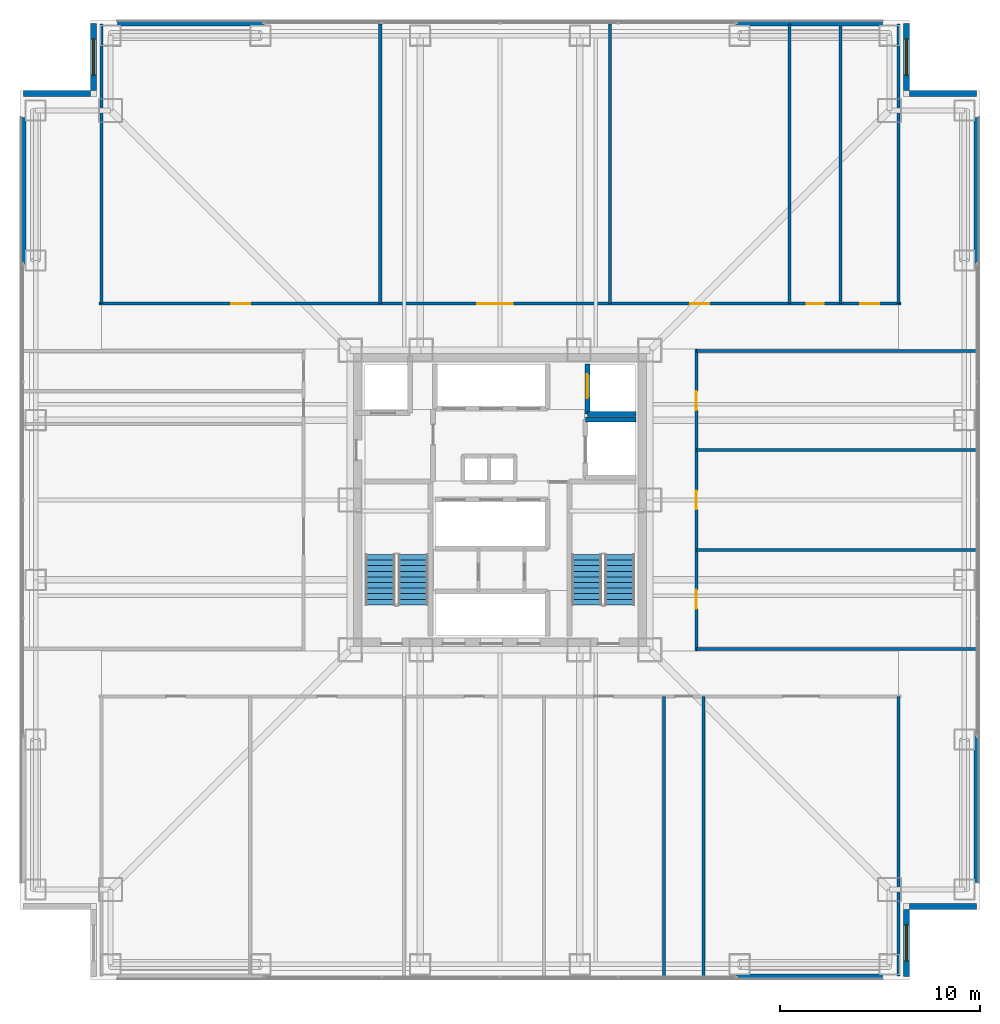
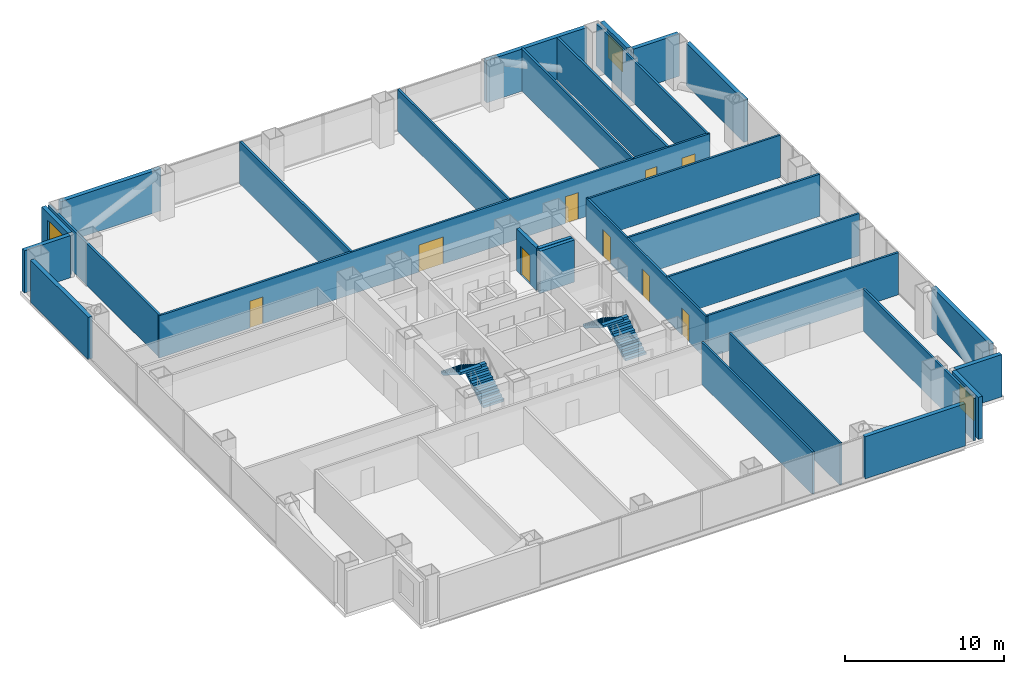
# One storey, part 12 of 15: 30 walls, 9 doors, 4 stair flights, 3 windows, 12 openings, 2 elements without a shape of their own.
"""IFC4 building model written with IfcOpenShell, lengths in metres."""

import ifcopenshell
import ifcopenshell.guid

model = None  # the IFC model being written
_history = None  # IfcOwnerHistory: only IFC2X3 demands one
_inside = {}  # id of a spatial element -> (the spatial element, [elements in it])
_under = {}  # id of a project, library or spatial element -> (it, [spatial elements below it])
_declared = {}  # id of a project -> (the project, [libraries it declares])
_typed = {}  # id of a type object -> (the type object, [elements of that type])
_made_of = {}  # id of a material, layer set ... -> (it, [elements and type objects made of it])


def new_model(schema):
    """Start an empty IFC model of exactly this schema.

    Asked for "IFC4X3", IfcOpenShell would pick the latest addendum, in which some entities
    have other attributes; the version numbers below select the first issue.
    IFC2X3 requires an IfcOwnerHistory on every rooted entity: one is made here for all.
    """
    global model, _history
    if schema == "IFC4X3":
        model = ifcopenshell.file(schema_version=(4, 3, 0, 0))
    else:
        model = ifcopenshell.file(schema=schema)
    _inside.clear()
    _under.clear()
    _declared.clear()
    _typed.clear()
    _made_of.clear()
    _history = None
    if model.schema == "IFC2X3":
        org = make("IfcOrganization", Name="unknown")
        user = make(
            "IfcPersonAndOrganization",
            ThePerson=make("IfcPerson", FamilyName="unknown"),
            TheOrganization=org,
        )
        app = make(
            "IfcApplication",
            ApplicationDeveloper=org,
            Version="unknown",
            ApplicationFullName="unknown",
            ApplicationIdentifier="unknown",
        )
        _history = make(
            "IfcOwnerHistory",
            OwningUser=user,
            OwningApplication=app,
            ChangeAction="ADDED",
            CreationDate=0,
        )
    return model


def make(cls, **values):
    """One entity of the class cls with the attributes given. An attribute that is None is left unset."""
    return model.create_entity(
        cls, **{name: value for name, value in values.items() if value is not None}
    )


def rooted(cls, **values):
    """An entity with a GlobalId (a new one), such as an element, a storey or a relation."""
    return make(cls, GlobalId=ifcopenshell.guid.new(), OwnerHistory=_history, **values)


def si_unit(unit_type, name, prefix=None):
    """IfcSIUnit, for example si_unit("LENGTHUNIT", "METRE", prefix="MILLI")."""
    return make("IfcSIUnit", UnitType=unit_type, Prefix=prefix, Name=name)


def assignment(units):
    """IfcUnitAssignment: the units of a project."""
    return None if units is None else make("IfcUnitAssignment", Units=units)


def point(xyz):
    """IfcCartesianPoint."""
    return None if xyz is None else make("IfcCartesianPoint", Coordinates=xyz)


def direction(xyz):
    """IfcDirection."""
    return None if xyz is None else make("IfcDirection", DirectionRatios=xyz)


def frame(location, z_axis=None, x_axis=None):
    """IfcAxis2Placement3D, a coordinate frame: its origin and axes. An axis left out is left unset."""
    return make(
        "IfcAxis2Placement3D",
        Location=point(location),
        Axis=direction(z_axis),
        RefDirection=direction(x_axis),
    )


def frame_2d(location, x_axis=None):
    """IfcAxis2Placement2D, a coordinate frame in the plane: its origin and x axis."""
    return make(
        "IfcAxis2Placement2D", Location=point(location), RefDirection=direction(x_axis)
    )


def origin():
    """The frame at (0, 0, 0) with its axes left unset."""
    return frame((0.0, 0.0, 0.0))


def place(relative_to, where):
    """IfcLocalPlacement: puts the frame where relative to a parent placement (None: the world)."""
    return make(
        "IfcLocalPlacement", PlacementRelTo=relative_to, RelativePlacement=where
    )


def context(
    kind, dimensions, precision=None, world=None, true_north=None, identifier=None
):
    """IfcGeometricRepresentationContext, for example the 3D "Model" context."""
    return make(
        "IfcGeometricRepresentationContext",
        ContextIdentifier=identifier,
        ContextType=kind,
        CoordinateSpaceDimension=dimensions,
        Precision=precision,
        WorldCoordinateSystem=world,
        TrueNorth=true_north,
    )


def subcontext(parent, identifier, kind, view, scale=None):
    """IfcGeometricRepresentationSubContext, for example "Body" below "Model"."""
    return make(
        "IfcGeometricRepresentationSubContext",
        ContextIdentifier=identifier,
        ContextType=kind,
        ParentContext=parent,
        TargetScale=scale,
        TargetView=view,
    )


def project(units=None, contexts=None):
    """IfcProject with its units and contexts."""
    return rooted(
        "IfcProject",
        Name="project",
        RepresentationContexts=contexts,
        UnitsInContext=assignment(units),
    )


def spatial(cls, under=None, at=None, **own):
    """A site, building, storey or space (cls), placed at a placement, below another one or the project."""
    s = rooted(cls, ObjectPlacement=at, **own)
    if under is not None:
        _under.setdefault(under.id(), (under, []))[1].append(s)
    return s


def polyline(points):
    """IfcPolyline through the points."""
    return make("IfcPolyline", Points=[point(p) for p in points])


def profile(cls, at=None, kind="AREA", **sizes):
    """A parametric profile (cls). Its sizes go by their IFC names, for example OverallWidth=200.0."""
    return make(cls, ProfileType=kind, Position=at, **sizes)


def rectangle(**sizes):
    """IfcRectangleProfileDef."""
    return profile("IfcRectangleProfileDef", **sizes)


def outline(outer, holes=None, kind="AREA"):
    """IfcArbitraryClosedProfileDef: a profile drawn as a closed curve; with holes, ...WithVoids."""
    if holes is None:
        return make("IfcArbitraryClosedProfileDef", ProfileType=kind, OuterCurve=outer)
    return make(
        "IfcArbitraryProfileDefWithVoids",
        ProfileType=kind,
        OuterCurve=outer,
        InnerCurves=holes,
    )


def extrude(swept, where, along, depth):
    """IfcExtrudedAreaSolid: the profile swept, set in the frame where, extruded along a direction by depth."""
    return make(
        "IfcExtrudedAreaSolid",
        SweptArea=swept,
        Position=where,
        ExtrudedDirection=direction(along),
        Depth=depth,
    )


def shape(context_of_items, identifier, shape_type, items):
    """IfcShapeRepresentation: the items that make up one representation, for example the "Body"."""
    return make(
        "IfcShapeRepresentation",
        ContextOfItems=context_of_items,
        RepresentationIdentifier=identifier,
        RepresentationType=shape_type,
        Items=items,
    )


def material(Name=None, Category=None):
    """IfcMaterial."""
    return make("IfcMaterial", Name=Name, Category=Category)


def layer(
    of_material, thickness, ventilated=None, Name=None, Category=None, Priority=None
):
    """IfcMaterialLayer: one layer of a wall or slab, of a material (None: an air gap)."""
    return make(
        "IfcMaterialLayer",
        Material=of_material,
        LayerThickness=thickness,
        IsVentilated=ventilated,
        Name=Name,
        Category=Category,
        Priority=Priority,
    )


def layer_set(layers, Name=None):
    """IfcMaterialLayerSet."""
    return make("IfcMaterialLayerSet", MaterialLayers=layers, LayerSetName=Name)


def made_of(thing, what):
    """Note that an element or type object is made of a material, layer set ...; save() writes the relation."""
    if what is not None:
        _made_of.setdefault(what.id(), (what, []))[1].append(thing)
    return thing


def type_object(cls, material=None, **own):
    """A type object (cls), such as IfcWallType, which elements share."""
    return made_of(rooted(cls, **own), material)


def element(
    cls,
    number,
    at=None,
    inside=None,
    cuts=None,
    type_object=None,
    material=None,
    context=None,
    identifier="Body",
    shape_type=None,
    held_by="IfcProductDefinitionShape",
    body=None,
    shapes=None,
    **own,
):
    """One element of the class cls, such as IfcWall. Its Tag is "e" and its number.

    at: its placement. inside: the storey or other place that contains it. cuts: it is an
    opening in that element (IfcRelVoidsElement). A single representation is given by context,
    identifier, shape_type and body (its items); several are given by shapes. held_by: the class
    of the entity that holds the representations. save() writes the other relations.
    """
    e = rooted(cls, Tag="e%d" % number, ObjectPlacement=at, **own)
    if body is not None:
        shapes = [shape(context, identifier, shape_type, body)]
    if shapes is not None:
        e.Representation = make(held_by, Representations=shapes)
    if inside is not None:
        _inside.setdefault(inside.id(), (inside, []))[1].append(e)
    if cuts is not None:
        rooted(
            "IfcRelVoidsElement", RelatingBuildingElement=cuts, RelatedOpeningElement=e
        )
    if type_object is not None:
        _typed.setdefault(type_object.id(), (type_object, []))[1].append(e)
    return made_of(e, material)


def fill(opening, filler):
    """IfcRelFillsElement: the door or window that sits in an opening."""
    return rooted(
        "IfcRelFillsElement",
        RelatingOpeningElement=opening,
        RelatedBuildingElement=filler,
    )


def aggregate(whole, parts):
    """IfcRelAggregates: a whole, such as a stair, and the parts it consists of."""
    return rooted("IfcRelAggregates", RelatingObject=whole, RelatedObjects=parts)


def save(model, path):
    """Write the relations noted so far, then the file.

    IfcRelAggregates (storeys below a building ...), IfcRelContainedInSpatialStructure (elements
    in a storey), IfcRelDefinesByType, IfcRelAssociatesMaterial and IfcRelDeclares: one each for
    every whole, place, type object, material and project.
    """
    for whole, parts in _under.values():
        aggregate(whole, parts)
    for where, things in _inside.values():
        rooted(
            "IfcRelContainedInSpatialStructure",
            RelatedElements=things,
            RelatingStructure=where,
        )
    for kind, things in _typed.values():
        rooted("IfcRelDefinesByType", RelatedObjects=things, RelatingType=kind)
    for what, things in _made_of.values():
        rooted("IfcRelAssociatesMaterial", RelatedObjects=things, RelatingMaterial=what)
    for by, libraries in _declared.values():
        rooted("IfcRelDeclares", RelatingContext=by, RelatedDefinitions=libraries)
    model.write(path)


model = new_model("IFC4")

# Units and contexts
model_context = context("Model", 3, precision=1e-05, world=origin(), true_north=direction((0.0, 1.0)))
body_context = subcontext(model_context, "Body", "Model", "MODEL_VIEW")
ifc_project = project(units=[si_unit("LENGTHUNIT", "METRE"), si_unit("AREAUNIT", "SQUARE_METRE"), si_unit("VOLUMEUNIT", "CUBIC_METRE"), si_unit("PLANEANGLEUNIT", "RADIAN"), si_unit("MASSUNIT", "GRAM", prefix="KILO")], contexts=[model_context])

# Site, building, storey
site_placement = place(None, origin())
site = spatial("IfcSite", under=ifc_project, at=site_placement, CompositionType="ELEMENT")
building_placement = place(site_placement, origin())
building = spatial("IfcBuilding", under=site, at=building_placement, Name="Trevonay Congress Spire", CompositionType="ELEMENT")
storey_placement = place(building_placement, frame((0.0, 0.0, 44.5)))
storey = spatial("IfcBuildingStorey", under=building, at=storey_placement, Name="L10", CompositionType="ELEMENT", Elevation=44.5)

# Wall, openings, doors
ifc_material_1 = material(Name="Concrete C40/50", Category="concrete")
ifc_layer_1 = layer(ifc_material_1, 0.14990234375, Name="Concrete C40/50")
ifc_layer_set_1 = layer_set([ifc_layer_1], Name="Concrete C40/50")
wall_type_1 = type_object("IfcWallType", Name="WAL-CORR-150", PredefinedType="PARTITIONING", material=ifc_layer_set_1)
wall_1_placement = place(storey_placement, frame((-20.070068359375, 9.830078125, 0.0), z_axis=(0.0, 0.0, 1.0), x_axis=(1.0, 0.0, 0.0)))
wall_1 = element("IfcWall", 1, at=wall_1_placement, inside=storey, type_object=wall_type_1, Name="L10 interior wall WP-L10N-COR", PredefinedType="PARTITIONING", context=body_context, shape_type="SweptSolid", body=[
    extrude(rectangle(XDim=40.14013671875, YDim=0.14990234375, at=frame_2d((20.070068359375, 0.0))), origin(), (0.0, 0.0, 1.0), 3.25),
])
opening_1_placement = place(wall_1_placement, frame((6.6201171875, 0.0, 0.0)))
opening_1 = element("IfcOpeningElement", 2, at=opening_1_placement, cuts=wall_1, Name="Opening D07", PredefinedType="OPENING", context=body_context, shape_type="SweptSolid", body=[
    extrude(rectangle(XDim=0.949951171875, YDim=2.06005859375, at=frame_2d((0.47509765625, 1.030029296875))), frame((0.0, 0.0849609375, 0.0), z_axis=(0.0, -1.0, 0.0), x_axis=(1.0, 0.0, 0.0)), (0.0, 0.0, 1.0), 0.169921875),
])
opening_2_placement = place(wall_1_placement, frame((18.919921875, 0.0, 0.0)))
opening_2 = element("IfcOpeningElement", 3, at=opening_2_placement, cuts=wall_1, Name="Opening D09", PredefinedType="OPENING", context=body_context, shape_type="SweptSolid", body=[
    extrude(rectangle(XDim=1.800048828125, YDim=2.080078125, at=frame_2d((0.89990234375, 1.0400390625))), frame((0.0, 0.0849609375, 0.0), z_axis=(0.0, -1.0, 0.0), x_axis=(1.0, 0.0, 0.0)), (0.0, 0.0, 1.0), 0.169921875),
])
opening_3_placement = place(wall_1_placement, frame((29.594970703125, 0.0, 0.0)))
opening_3 = element("IfcOpeningElement", 4, at=opening_3_placement, cuts=wall_1, Name="Opening D07", PredefinedType="OPENING", context=body_context, shape_type="SweptSolid", body=[
    extrude(rectangle(XDim=0.949951171875, YDim=2.06005859375, at=frame_2d((0.47509765625, 1.030029296875))), frame((0.0, 0.0849609375, 0.0), z_axis=(0.0, -1.0, 0.0), x_axis=(1.0, 0.0, 0.0)), (0.0, 0.0, 1.0), 0.169921875),
])
opening_4_placement = place(wall_1_placement, frame((35.419921875, 0.0, 0.0)))
opening_4 = element("IfcOpeningElement", 5, at=opening_4_placement, cuts=wall_1, Name="Opening D10", PredefinedType="OPENING", context=body_context, shape_type="SweptSolid", body=[
    extrude(rectangle(XDim=0.85009765625, YDim=2.050048828125, at=frame_2d((0.425048828125, 1.02490234375))), frame((0.0, 0.0849609375, 0.0), z_axis=(0.0, -1.0, 0.0), x_axis=(1.0, 0.0, 0.0)), (0.0, 0.0, 1.0), 0.169921875),
])
opening_5_placement = place(wall_1_placement, frame((38.094970703125, 0.0, 0.0)))
opening_5 = element("IfcOpeningElement", 6, at=opening_5_placement, cuts=wall_1, Name="Opening D07", PredefinedType="OPENING", context=body_context, shape_type="SweptSolid", body=[
    extrude(rectangle(XDim=0.949951171875, YDim=2.06005859375, at=frame_2d((0.47509765625, 1.030029296875))), frame((0.0, 0.0849609375, 0.0), z_axis=(0.0, -1.0, 0.0), x_axis=(1.0, 0.0, 0.0)), (0.0, 0.0, 1.0), 0.169921875),
])
ifc_material_2 = material(Name="Pale Anodised Aluminium EN AW-6063-T6", Category="aluminium")
door_type_1 = type_object("IfcDoorType", Name="DOR-CONF-DBL", OperationType="DOUBLE_DOOR_SINGLE_SWING", PredefinedType="DOOR", material=ifc_material_2)
door_1_placement = place(opening_2_placement, origin())
door_1 = element("IfcDoor", 7, at=door_1_placement, inside=storey, type_object=door_type_1, Name="L10 Rapporteur Drafting Salon Door", OperationType="DOUBLE_DOOR_SINGLE_SWING", OverallHeight=2.080078125, OverallWidth=1.800048828125, PredefinedType="DOOR", context=body_context, shape_type="SweptSolid", body=[
    extrude(rectangle(XDim=1.800048828125, YDim=2.080078125, at=frame_2d((0.89990234375, 1.0400390625))), frame((0.0, 0.02490234375, 0.0), z_axis=(0.0, -1.0, 0.0), x_axis=(1.0, 0.0, 0.0)), (0.0, 0.0, 1.0), 0.050048828125),
])
fill(opening_2, door_1)
door_type_2 = type_object("IfcDoorType", Name="DOR-OFFICE-95", OperationType="NOTDEFINED", PredefinedType="DOOR", material=ifc_material_2)
door_2_placement = place(opening_1_placement, origin())
door_2 = element("IfcDoor", 8, at=door_2_placement, inside=storey, type_object=door_type_2, Name="L10 Translation Secretariat Office West Door", OperationType="SINGLE_SWING_LEFT", OverallHeight=2.06005859375, OverallWidth=0.949951171875, PredefinedType="DOOR", context=body_context, shape_type="SweptSolid", body=[
    extrude(rectangle(XDim=0.949951171875, YDim=2.06005859375, at=frame_2d((0.47509765625, 1.030029296875))), frame((0.0, 0.02490234375, 0.0), z_axis=(0.0, -1.0, 0.0), x_axis=(1.0, 0.0, 0.0)), (0.0, 0.0, 1.0), 0.050048828125),
])
fill(opening_1, door_2)
door_3_placement = place(opening_3_placement, origin())
door_3 = element("IfcDoor", 9, at=door_3_placement, inside=storey, type_object=door_type_2, Name="L10 Congress Operations Office East Door", OperationType="SINGLE_SWING_RIGHT", OverallHeight=2.06005859375, OverallWidth=0.949951171875, PredefinedType="DOOR", context=body_context, shape_type="SweptSolid", body=[
    extrude(rectangle(XDim=0.949951171875, YDim=2.06005859375, at=frame_2d((0.47509765625, 1.030029296875))), frame((0.0, 0.02490234375, 0.0), z_axis=(0.0, -1.0, 0.0), x_axis=(1.0, 0.0, 0.0)), (0.0, 0.0, 1.0), 0.050048828125),
])
fill(opening_3, door_3)
door_4_placement = place(opening_5_placement, origin())
door_4 = element("IfcDoor", 10, at=door_4_placement, inside=storey, type_object=door_type_2, Name="L10 Floor Supplies and Copy Room Door", OperationType="SINGLE_SWING_RIGHT", OverallHeight=2.06005859375, OverallWidth=0.949951171875, PredefinedType="DOOR", context=body_context, shape_type="SweptSolid", body=[
    extrude(rectangle(XDim=0.949951171875, YDim=2.06005859375, at=frame_2d((0.47509765625, 1.030029296875))), frame((0.0, 0.02490234375, 0.0), z_axis=(0.0, -1.0, 0.0), x_axis=(1.0, 0.0, 0.0)), (0.0, 0.0, 1.0), 0.050048828125),
])
fill(opening_5, door_4)
door_type_3 = type_object("IfcDoorType", Name="DOR-WC-85", OperationType="NOTDEFINED", PredefinedType="DOOR", material=ifc_material_2)
door_5_placement = place(opening_4_placement, origin())
door_5 = element("IfcDoor", 11, at=door_5_placement, inside=storey, type_object=door_type_3, Name="L10 Female Restroom WC Door", OperationType="SINGLE_SWING_LEFT", OverallHeight=2.050048828125, OverallWidth=0.85009765625, PredefinedType="DOOR", context=body_context, shape_type="SweptSolid", body=[
    extrude(rectangle(XDim=0.85009765625, YDim=2.050048828125, at=frame_2d((0.425048828125, 1.02490234375))), frame((0.0, 0.02490234375, 0.0), z_axis=(0.0, -1.0, 0.0), x_axis=(1.0, 0.0, 0.0)), (0.0, 0.0, 1.0), 0.050048828125),
])
fill(opening_4, door_5)

wall_2_placement = place(storey_placement, frame((9.830078125, -7.570068359375, 0.0), z_axis=(0.0, 0.0, 1.0), x_axis=(0.0, 1.0, 0.0)))
wall_2 = element("IfcWall", 12, at=wall_2_placement, inside=storey, type_object=wall_type_1, Name="L10 interior wall WP-L10E-COR", PredefinedType="PARTITIONING", context=body_context, shape_type="SweptSolid", body=[
    extrude(rectangle(XDim=15.14013671875, YDim=0.14990234375, at=frame_2d((7.570068359375, 0.0))), origin(), (0.0, 0.0, 1.0), 3.25),
])
opening_6_placement = place(wall_2_placement, frame((2.1201171875, 0.0, 0.0)))
opening_6 = element("IfcOpeningElement", 13, at=opening_6_placement, cuts=wall_2, Name="Opening D07", PredefinedType="OPENING", context=body_context, shape_type="SweptSolid", body=[
    extrude(rectangle(XDim=0.949951171875, YDim=2.06005859375, at=frame_2d((0.47509765625, 1.030029296875))), frame((0.0, 0.0849609375, 0.0), z_axis=(0.0, -1.0, 0.0), x_axis=(1.0, 0.0, 0.0)), (0.0, 0.0, 1.0), 0.169921875),
])
opening_7_placement = place(wall_2_placement, frame((7.094970703125, 0.0, 0.0)))
opening_7 = element("IfcOpeningElement", 14, at=opening_7_placement, cuts=wall_2, Name="Opening D07", PredefinedType="OPENING", context=body_context, shape_type="SweptSolid", body=[
    extrude(rectangle(XDim=0.949951171875, YDim=2.06005859375, at=frame_2d((0.47509765625, 1.030029296875))), frame((0.0, 0.0849609375, 0.0), z_axis=(0.0, -1.0, 0.0), x_axis=(1.0, 0.0, 0.0)), (0.0, 0.0, 1.0), 0.169921875),
])
opening_8_placement = place(wall_2_placement, frame((12.070068359375, 0.0, 0.0)))
opening_8 = element("IfcOpeningElement", 15, at=opening_8_placement, cuts=wall_2, Name="Opening D07", PredefinedType="OPENING", context=body_context, shape_type="SweptSolid", body=[
    extrude(rectangle(XDim=0.949951171875, YDim=2.06005859375, at=frame_2d((0.47509765625, 1.030029296875))), frame((0.0, 0.0849609375, 0.0), z_axis=(0.0, -1.0, 0.0), x_axis=(1.0, 0.0, 0.0)), (0.0, 0.0, 1.0), 0.169921875),
])
door_6_placement = place(opening_6_placement, origin())
door_6 = element("IfcDoor", 16, at=door_6_placement, inside=storey, type_object=door_type_2, Name="L10 Housekeeping and Linen Room Door", OperationType="SINGLE_SWING_LEFT", OverallHeight=2.06005859375, OverallWidth=0.949951171875, PredefinedType="DOOR", context=body_context, shape_type="SweptSolid", body=[
    extrude(rectangle(XDim=0.949951171875, YDim=2.06005859375, at=frame_2d((0.47509765625, 1.030029296875))), frame((0.0, 0.02490234375, 0.0), z_axis=(0.0, -1.0, 0.0), x_axis=(1.0, 0.0, 0.0)), (0.0, 0.0, 1.0), 0.050048828125),
])
fill(opening_6, door_6)
door_7_placement = place(opening_7_placement, origin())
door_7 = element("IfcDoor", 17, at=door_7_placement, inside=storey, type_object=door_type_2, Name="L10 Hotel Business Office Door", OperationType="SINGLE_SWING_RIGHT", OverallHeight=2.06005859375, OverallWidth=0.949951171875, PredefinedType="DOOR", context=body_context, shape_type="SweptSolid", body=[
    extrude(rectangle(XDim=0.949951171875, YDim=2.06005859375, at=frame_2d((0.47509765625, 1.030029296875))), frame((0.0, 0.02490234375, 0.0), z_axis=(0.0, -1.0, 0.0), x_axis=(1.0, 0.0, 0.0)), (0.0, 0.0, 1.0), 0.050048828125),
])
fill(opening_7, door_7)
door_8_placement = place(opening_8_placement, origin())
door_8 = element("IfcDoor", 18, at=door_8_placement, inside=storey, type_object=door_type_2, Name="L10 Valet Laundry Room Door", OperationType="SINGLE_SWING_LEFT", OverallHeight=2.06005859375, OverallWidth=0.949951171875, PredefinedType="DOOR", context=body_context, shape_type="SweptSolid", body=[
    extrude(rectangle(XDim=0.949951171875, YDim=2.06005859375, at=frame_2d((0.47509765625, 1.030029296875))), frame((0.0, 0.02490234375, 0.0), z_axis=(0.0, -1.0, 0.0), x_axis=(1.0, 0.0, 0.0)), (0.0, 0.0, 1.0), 0.050048828125),
])
fill(opening_8, door_8)

# Walls
ifc_material_3 = material(Name="Precast concrete C40/50", Category="concrete")
ifc_layer_2 = layer(ifc_material_3, 0.300048828125, Name="Precast concrete C40/50")
ifc_layer_set_2 = layer_set([ifc_layer_2], Name="Precast concrete C40/50")
wall_type_2 = type_object("IfcWallType", Name="WAL-EXT-PRECAST-300", PredefinedType="SOLIDWALL", material=ifc_layer_set_2)
for number, where, z_axis, x_axis, name in (
    (19, (11.85009765625, -23.8798828125, 0.0), (0.0, 0.0, 1.0), (1.0, 0.0, 0.0), "L10 SR braced-bay exterior pier wall"),
    (20, (-19.14990234375, 23.8798828125, 0.0), (0.0, 0.0, 1.0), (1.0, 0.0, 0.0), "L10 NL braced-bay exterior pier wall"),
    (21, (11.85009765625, 23.8798828125, 0.0), (0.0, 0.0, 1.0), (1.0, 0.0, 0.0), "L10 NR braced-bay exterior pier wall"),
    (22, (-23.8798828125, 11.85009765625, 0.0), (0.0, 0.0, 1.0), (0.0, 1.0, 0.0), "L10 WR braced-bay exterior pier wall"),
    (23, (23.8798828125, -19.14990234375, 0.0), (0.0, 0.0, 1.0), (0.0, 1.0, 0.0), "L10 EL braced-bay exterior pier wall"),
    (24, (23.8798828125, 11.85009765625, 0.0), (0.0, 0.0, 1.0), (0.0, 1.0, 0.0), "L10 ER braced-bay exterior pier wall"),
):
    element("IfcWall", number, at=place(storey_placement, frame(where, z_axis=z_axis, x_axis=x_axis)), inside=storey, type_object=wall_type_2, Name=name, PredefinedType="SOLIDWALL", context=body_context, shape_type="SweptSolid", body=[
        extrude(rectangle(XDim=7.2998046875, YDim=0.300048828125, at=frame_2d((3.64990234375, 0.0))), origin(), (0.0, 0.0, 1.0), 3.25),
    ])

# Wall, opening, window
wall_3_placement = place(storey_placement, frame((20.35009765625, -23.85009765625, 0.0), z_axis=(0.0, 0.0, 1.0), x_axis=(0.0, 1.0, 0.0)))
wall_3 = element("IfcWall", 25, at=wall_3_placement, inside=storey, type_object=wall_type_2, Name="L10 SE re-entrant notch exterior wall 1", PredefinedType="SOLIDWALL", context=body_context, shape_type="SweptSolid", body=[
    extrude(rectangle(XDim=3.35009765625, YDim=0.300048828125, at=frame_2d((1.675048828125, 0.0))), origin(), (0.0, 0.0, 1.0), 3.25),
])
opening_9_placement = place(wall_3_placement, frame((0.77490234375, 0.0, 0.89990234375)))
opening_9 = element("IfcOpeningElement", 26, at=opening_9_placement, cuts=wall_3, Name="Opening WN01", PredefinedType="OPENING", context=body_context, shape_type="SweptSolid", body=[
    extrude(rectangle(XDim=1.800048828125, YDim=1.800048828125, at=frame_2d((0.89990234375, 0.89990234375))), frame((0.0, 0.16015625, 0.0), z_axis=(0.0, -1.0, 0.0), x_axis=(1.0, 0.0, 0.0)), (0.0, 0.0, 1.0), 0.320068359375),
])
ifc_material_4 = material(Name="Insulated Low-E Vision Glass IGU", Category="glass")
window_type = type_object("IfcWindowType", Name="WIN-HOTEL-180X180", PartitioningType="SINGLE_PANEL", PredefinedType="WINDOW", material=ifc_material_4)
window_1_placement = place(opening_9_placement, origin())
window_1 = element("IfcWindow", 27, at=window_1_placement, inside=storey, type_object=window_type, Name="L10 SE corner notch window", OverallHeight=1.800048828125, OverallWidth=1.800048828125, PartitioningType="SINGLE_PANEL", PredefinedType="WINDOW", context=body_context, shape_type="SweptSolid", body=[
    extrude(rectangle(XDim=1.800048828125, YDim=1.800048828125, at=frame_2d((0.89990234375, 0.89990234375))), frame((0.0, 0.030029296875, 0.0), z_axis=(0.0, -1.0, 0.0), x_axis=(1.0, 0.0, 0.0)), (0.0, 0.0, 1.0), 0.06005859375),
])
fill(opening_9, window_1)

# Wall
wall_4_placement = place(storey_placement, frame((23.85009765625, -20.35009765625, 0.0), z_axis=(0.0, 0.0, 1.0), x_axis=(-1.0, 0.0, 0.0)))
element("IfcWall", 28, at=wall_4_placement, inside=storey, type_object=wall_type_2, Name="L10 SE re-entrant notch exterior wall 2", PredefinedType="SOLIDWALL", context=body_context, shape_type="SweptSolid", body=[
    extrude(rectangle(XDim=3.35009765625, YDim=0.300048828125, at=frame_2d((1.675048828125, 0.0))), origin(), (0.0, 0.0, 1.0), 3.25),
])

# Wall, opening, window
wall_5_placement = place(storey_placement, frame((20.35009765625, 23.85009765625, 0.0), z_axis=(0.0, 0.0, 1.0), x_axis=(0.0, -1.0, 0.0)))
wall_5 = element("IfcWall", 29, at=wall_5_placement, inside=storey, type_object=wall_type_2, Name="L10 NE re-entrant notch exterior wall 1", PredefinedType="SOLIDWALL", context=body_context, shape_type="SweptSolid", body=[
    extrude(rectangle(XDim=3.35009765625, YDim=0.300048828125, at=frame_2d((1.675048828125, 0.0))), origin(), (0.0, 0.0, 1.0), 3.25),
])
opening_10_placement = place(wall_5_placement, frame((0.77490234375, 0.0, 0.89990234375)))
opening_10 = element("IfcOpeningElement", 30, at=opening_10_placement, cuts=wall_5, Name="Opening WN01", PredefinedType="OPENING", context=body_context, shape_type="SweptSolid", body=[
    extrude(rectangle(XDim=1.800048828125, YDim=1.800048828125, at=frame_2d((0.89990234375, 0.89990234375))), frame((0.0, 0.16015625, 0.0), z_axis=(0.0, -1.0, 0.0), x_axis=(1.0, 0.0, 0.0)), (0.0, 0.0, 1.0), 0.320068359375),
])
window_2_placement = place(opening_10_placement, origin())
window_2 = element("IfcWindow", 31, at=window_2_placement, inside=storey, type_object=window_type, Name="L10 NE corner notch window", OverallHeight=1.800048828125, OverallWidth=1.800048828125, PartitioningType="SINGLE_PANEL", PredefinedType="WINDOW", context=body_context, shape_type="SweptSolid", body=[
    extrude(rectangle(XDim=1.800048828125, YDim=1.800048828125, at=frame_2d((0.89990234375, 0.89990234375))), frame((0.0, 0.030029296875, 0.0), z_axis=(0.0, -1.0, 0.0), x_axis=(1.0, 0.0, 0.0)), (0.0, 0.0, 1.0), 0.06005859375),
])
fill(opening_10, window_2)

# Wall
wall_6_placement = place(storey_placement, frame((23.85009765625, 20.35009765625, 0.0), z_axis=(0.0, 0.0, 1.0), x_axis=(-1.0, 0.0, 0.0)))
element("IfcWall", 32, at=wall_6_placement, inside=storey, type_object=wall_type_2, Name="L10 NE re-entrant notch exterior wall 2", PredefinedType="SOLIDWALL", context=body_context, shape_type="SweptSolid", body=[
    extrude(rectangle(XDim=3.35009765625, YDim=0.300048828125, at=frame_2d((1.675048828125, 0.0))), origin(), (0.0, 0.0, 1.0), 3.25),
])

# Wall, opening, window
wall_7_placement = place(storey_placement, frame((-20.35009765625, 23.85009765625, 0.0), z_axis=(0.0, 0.0, 1.0), x_axis=(0.0, -1.0, 0.0)))
wall_7 = element("IfcWall", 33, at=wall_7_placement, inside=storey, type_object=wall_type_2, Name="L10 NW re-entrant notch exterior wall 1", PredefinedType="SOLIDWALL", context=body_context, shape_type="SweptSolid", body=[
    extrude(rectangle(XDim=3.35009765625, YDim=0.300048828125, at=frame_2d((1.675048828125, 0.0))), origin(), (0.0, 0.0, 1.0), 3.25),
])
opening_11_placement = place(wall_7_placement, frame((0.77490234375, 0.0, 0.89990234375)))
opening_11 = element("IfcOpeningElement", 34, at=opening_11_placement, cuts=wall_7, Name="Opening WN01", PredefinedType="OPENING", context=body_context, shape_type="SweptSolid", body=[
    extrude(rectangle(XDim=1.800048828125, YDim=1.800048828125, at=frame_2d((0.89990234375, 0.89990234375))), frame((0.0, 0.16015625, 0.0), z_axis=(0.0, -1.0, 0.0), x_axis=(1.0, 0.0, 0.0)), (0.0, 0.0, 1.0), 0.320068359375),
])
window_3_placement = place(opening_11_placement, origin())
window_3 = element("IfcWindow", 35, at=window_3_placement, inside=storey, type_object=window_type, Name="L10 NW corner notch window", OverallHeight=1.800048828125, OverallWidth=1.800048828125, PartitioningType="SINGLE_PANEL", PredefinedType="WINDOW", context=body_context, shape_type="SweptSolid", body=[
    extrude(rectangle(XDim=1.800048828125, YDim=1.800048828125, at=frame_2d((0.89990234375, 0.89990234375))), frame((0.0, 0.030029296875, 0.0), z_axis=(0.0, -1.0, 0.0), x_axis=(1.0, 0.0, 0.0)), (0.0, 0.0, 1.0), 0.06005859375),
])
fill(opening_11, window_3)

# Walls
wall_8_placement = place(storey_placement, frame((-23.85009765625, 20.35009765625, 0.0), z_axis=(0.0, 0.0, 1.0), x_axis=(1.0, 0.0, 0.0)))
element("IfcWall", 36, at=wall_8_placement, inside=storey, type_object=wall_type_2, Name="L10 NW re-entrant notch exterior wall 2", PredefinedType="SOLIDWALL", context=body_context, shape_type="SweptSolid", body=[
    extrude(rectangle(XDim=3.35009765625, YDim=0.300048828125, at=frame_2d((1.675048828125, 0.0))), origin(), (0.0, 0.0, 1.0), 3.25),
])
ifc_layer_3 = layer(ifc_material_1, 0.14990234375, Name="Concrete C40/50")
ifc_layer_set_3 = layer_set([ifc_layer_3], Name="Concrete C40/50")
wall_type_3 = type_object("IfcWallType", Name="WAL-PART-150", PredefinedType="PARTITIONING", material=ifc_layer_set_3)
for number, where, z_axis, x_axis, name in (
    (37, (8.199951171875, -23.820068359375, 0.0), (0.0, 0.0, 1.0), (0.0, 1.0, 0.0), "L10 interior wall WP-L10S-DIV5"),
    (38, (10.199951171875, -23.820068359375, 0.0), (0.0, 0.0, 1.0), (0.0, 1.0, 0.0), "L10 interior wall WP-L10S-DIV6"),
    (39, (19.949951171875, -23.820068359375, 0.0), (0.0, 0.0, 1.0), (0.0, 1.0, 0.0), "L10 interior wall WP-L10S-DIV7"),
    (40, (5.5, 9.830078125, 0.0), (0.0, 0.0, 1.0), (0.0, 1.0, 0.0), "L10 interior wall WP-L10N-DIV3"),
    (41, (14.5, 9.830078125, 0.0), (0.0, 0.0, 1.0), (0.0, 1.0, 0.0), "L10 interior wall WP-L10N-DIV4"),
    (42, (19.949951171875, 9.830078125, 0.0), (0.0, 0.0, 1.0), (0.0, 1.0, 0.0), "L10 interior wall WP-L10N-DIV5"),
    (43, (9.830078125, -7.449951171875, 0.0), (0.0, 0.0, 1.0), (1.0, 0.0, 0.0), "L10 interior wall WP-L10E-DIV1"),
    (44, (9.830078125, -2.5, 0.0), (0.0, 0.0, 1.0), (1.0, 0.0, 0.0), "L10 interior wall WP-L10E-DIV2"),
    (45, (9.830078125, 2.5, 0.0), (0.0, 0.0, 1.0), (1.0, 0.0, 0.0), "L10 interior wall WP-L10E-DIV3"),
    (46, (9.830078125, 7.449951171875, 0.0), (0.0, 0.0, 1.0), (1.0, 0.0, 0.0), "L10 interior wall WP-L10E-DIV4"),
):
    element("IfcWall", number, at=place(storey_placement, frame(where, z_axis=z_axis, x_axis=x_axis)), inside=storey, type_object=wall_type_3, Name=name, PredefinedType="PARTITIONING", context=body_context, shape_type="SweptSolid", body=[
        extrude(rectangle(XDim=13.989990234375, YDim=0.14990234375, at=frame_2d((6.9951171875, 0.0))), origin(), (0.0, 0.0, 1.0), 3.25),
    ])
ifc_layer_4 = layer(ifc_material_1, 0.25, Name="Concrete C40/50")
ifc_layer_set_4 = layer_set([ifc_layer_4], Name="Concrete C40/50")
wall_type_4 = type_object("IfcWallType", Name="WAL-SHAFT-250", PredefinedType="SHEAR", material=ifc_layer_set_4)
wall_9_placement = place(storey_placement, frame((4.3798828125, 4.300048828125, 0.0), z_axis=(0.0, 0.0, 1.0), x_axis=(1.0, 0.0, 0.0)))
element("IfcWall", 47, at=wall_9_placement, inside=storey, type_object=wall_type_4, Name="L10 interior shaft wall WSH-L10-FF2-S", PredefinedType="SHEAR", context=body_context, shape_type="SweptSolid", body=[
    extrude(rectangle(XDim=2.420166015625, YDim=0.25, at=frame_2d((1.2099609375, 0.0))), origin(), (0.0, 0.0, 1.0), 3.25),
])

# Wall, opening, door
wall_10_placement = place(storey_placement, frame((4.3798828125, 4.300048828125, 0.0), z_axis=(0.0, 0.0, 1.0), x_axis=(0.0, 1.0, 0.0)))
wall_10 = element("IfcWall", 48, at=wall_10_placement, inside=storey, type_object=wall_type_4, Name="L10 interior shaft wall WSH-L10-FF2-W", PredefinedType="SHEAR", context=body_context, shape_type="SweptSolid", body=[
    extrude(rectangle(XDim=2.5, YDim=0.25, at=frame_2d((1.25, 0.0))), origin(), (0.0, 0.0, 1.0), 3.25),
])
opening_12_placement = place(wall_10_placement, frame((0.800048828125, 0.0, 0.0)))
opening_12 = element("IfcOpeningElement", 49, at=opening_12_placement, cuts=wall_10, Name="Opening LD04", PredefinedType="OPENING", context=body_context, shape_type="SweptSolid", body=[
    extrude(rectangle(XDim=1.199951171875, YDim=2.199951171875, at=frame_2d((0.60009765625, 1.10009765625))), frame((0.0, 0.135009765625, 0.0), z_axis=(0.0, -1.0, 0.0), x_axis=(1.0, 0.0, 0.0)), (0.0, 0.0, 1.0), 0.27001953125),
])
ifc_material_5 = material(Name="Steel ASTM A572 Grade 50", Category="steel")
door_type_4 = type_object("IfcDoorType", Name="DOR-LIFT-LD04", OperationType="DOUBLE_DOOR_SLIDING", PredefinedType="DOOR", material=ifc_material_5)
door_9_placement = place(opening_12_placement, origin())
door_9 = element("IfcDoor", 50, at=door_9_placement, inside=storey, type_object=door_type_4, Name="L10 Firefighting lift FFL-02 landing door", OperationType="DOUBLE_DOOR_SLIDING", OverallHeight=2.199951171875, OverallWidth=1.199951171875, PredefinedType="DOOR", context=body_context, shape_type="SweptSolid", body=[
    extrude(rectangle(XDim=1.199951171875, YDim=2.199951171875, at=frame_2d((0.60009765625, 1.10009765625))), frame((0.0, 0.02490234375, 0.0), z_axis=(0.0, -1.0, 0.0), x_axis=(1.0, 0.0, 0.0)), (0.0, 0.0, 1.0), 0.050048828125),
])
fill(opening_12, door_9)

# Walls
wall_11_placement = place(storey_placement, frame((4.280029296875, 4.02001953125, 0.0), z_axis=(0.0, 0.0, 1.0), x_axis=(1.0, 0.0, 0.0)))
element("IfcWall", 51, at=wall_11_placement, inside=storey, type_object=wall_type_4, Name="L10 interior shaft wall WSH-L10-SV-N", PredefinedType="SHEAR", context=body_context, shape_type="SweptSolid", body=[
    extrude(rectangle(XDim=2.52001953125, YDim=0.25, at=frame_2d((1.260009765625, 0.0))), origin(), (0.0, 0.0, 1.0), 3.25),
])
ifc_layer_5 = layer(ifc_material_1, 0.1650390625, Name="Concrete C40/50")
ifc_layer_set_5 = layer_set([ifc_layer_5], Name="Concrete C40/50")
wall_type_5 = type_object("IfcWallType", Name="WAL-WET-165", PredefinedType="PLUMBINGWALL", material=ifc_layer_set_5)
for number, where, z_axis, x_axis, name in (
    (52, (17.050048828125, 9.830078125, 0.0), (0.0, 0.0, 1.0), (0.0, 1.0, 0.0), "L10 interior wall WP-L10N-WCS4"),
    (53, (-19.949951171875, 9.830078125, 0.0), (0.0, 0.0, 1.0), (0.0, 1.0, 0.0), "L10 interior wall WP-L10N-DIV1"),
    (54, (-6.0, 9.830078125, 0.0), (0.0, 0.0, 1.0), (0.0, 1.0, 0.0), "L10 interior wall WP-L10N-DIV2"),
):
    element("IfcWall", number, at=place(storey_placement, frame(where, z_axis=z_axis, x_axis=x_axis)), inside=storey, type_object=wall_type_5, Name=name, PredefinedType="PLUMBINGWALL", context=body_context, shape_type="SweptSolid", body=[
        extrude(rectangle(XDim=13.989990234375, YDim=0.1650390625, at=frame_2d((6.9951171875, 0.0))), origin(), (0.0, 0.0, 1.0), 3.25),
    ])

# Stair, stair flights
stair_type_1 = type_object("IfcStairType", Name="STR-ST-1", PredefinedType="HALF_TURN_STAIR", material=ifc_material_1)
stair_1_placement = place(storey_placement, origin())
stair_1 = element("IfcStair", 55, at=stair_1_placement, inside=storey, type_object=stair_type_1, Name="L10 Protected Exit Stair ST-1", PredefinedType="HALF_TURN_STAIR")
stair_flight_type_1 = type_object("IfcStairFlightType", Name="SFL-ST-1", PredefinedType="STRAIGHT", material=ifc_material_1)
stair_flight_1_placement = place(storey_placement, frame((-4.35009765625, -5.25, 0.0), z_axis=(0.0, 0.0, 1.0), x_axis=(0.0, 1.0, 0.0)))
stair_flight_1 = element("IfcStairFlight", 56, at=stair_flight_1_placement, type_object=stair_flight_type_1, Name="ST-1 flight 1", NumberOfRisers=10, NumberOfTreads=9, PredefinedType="STRAIGHT", RiserHeight=0.175, TreadLength=0.28, context=body_context, shape_type="SweptSolid", body=[
    extrude(outline(polyline([(0.0, 0.0), (0.0, 0.175048828125), (0.280029296875, 0.175048828125), (0.280029296875, 0.35009765625), (0.56005859375, 0.35009765625), (0.56005859375, 0.52490234375), (0.840087890625, 0.52490234375), (0.840087890625, 0.699951171875), (1.1201171875, 0.699951171875), (1.1201171875, 0.875), (1.39990234375, 0.875), (1.39990234375, 1.050048828125), (1.679931640625, 1.050048828125), (1.679931640625, 1.22509765625), (1.9599609375, 1.22509765625), (1.9599609375, 1.39990234375), (2.239990234375, 1.39990234375), (2.239990234375, 1.574951171875), (2.52001953125, 1.574951171875), (2.52001953125, 1.75), (2.52001953125, 1.398193359375), (0.28271484375, 0.0), (0.0, 0.0)])), frame((0.0, 0.75, 0.0), z_axis=(0.0, -1.0, 0.0), x_axis=(1.0, 0.0, 0.0)), (0.0, 0.0, 1.0), 1.5),
])
stair_flight_2_placement = place(storey_placement, frame((-6.0, -2.72998046875, 1.75), z_axis=(0.0, 0.0, 1.0), x_axis=(0.0, -1.0, 0.0)))
stair_flight_2 = element("IfcStairFlight", 57, at=stair_flight_2_placement, type_object=stair_flight_type_1, Name="ST-1 flight 2", NumberOfRisers=10, NumberOfTreads=9, PredefinedType="STRAIGHT", RiserHeight=0.175, TreadLength=0.28, context=body_context, shape_type="SweptSolid", body=[
    extrude(outline(polyline([(0.0, 0.0), (0.0, 0.175048828125), (0.280029296875, 0.175048828125), (0.280029296875, 0.35009765625), (0.56005859375, 0.35009765625), (0.56005859375, 0.52490234375), (0.840087890625, 0.52490234375), (0.840087890625, 0.699951171875), (1.1201171875, 0.699951171875), (1.1201171875, 0.875), (1.39990234375, 0.875), (1.39990234375, 1.050048828125), (1.679931640625, 1.050048828125), (1.679931640625, 1.22509765625), (1.9599609375, 1.22509765625), (1.9599609375, 1.39990234375), (2.239990234375, 1.39990234375), (2.239990234375, 1.574951171875), (2.52001953125, 1.574951171875), (2.52001953125, 1.75), (2.52001953125, 1.398193359375), (0.28271484375, 0.0), (0.0, 0.0)])), frame((0.0, 0.75, 0.0), z_axis=(0.0, -1.0, 0.0), x_axis=(1.0, 0.0, 0.0)), (0.0, 0.0, 1.0), 1.5),
])
aggregate(stair_1, [stair_flight_1, stair_flight_2])

stair_type_2 = type_object("IfcStairType", Name="STR-ST-2", PredefinedType="HALF_TURN_STAIR", material=ifc_material_1)
stair_2_placement = place(storey_placement, origin())
stair_2 = element("IfcStair", 58, at=stair_2_placement, inside=storey, type_object=stair_type_2, Name="L10 Protected Exit Stair ST-2", PredefinedType="HALF_TURN_STAIR")
stair_flight_type_2 = type_object("IfcStairFlightType", Name="SFL-ST-2", PredefinedType="STRAIGHT", material=ifc_material_1)
stair_flight_3_placement = place(storey_placement, frame((6.0, -5.25, 0.0), z_axis=(0.0, 0.0, 1.0), x_axis=(0.0, 1.0, 0.0)))
stair_flight_3 = element("IfcStairFlight", 59, at=stair_flight_3_placement, type_object=stair_flight_type_2, Name="ST-2 flight 1", NumberOfRisers=10, NumberOfTreads=9, PredefinedType="STRAIGHT", RiserHeight=0.175, TreadLength=0.28, context=body_context, shape_type="SweptSolid", body=[
    extrude(outline(polyline([(0.0, 0.0), (0.0, 0.175048828125), (0.280029296875, 0.175048828125), (0.280029296875, 0.35009765625), (0.56005859375, 0.35009765625), (0.56005859375, 0.52490234375), (0.840087890625, 0.52490234375), (0.840087890625, 0.699951171875), (1.1201171875, 0.699951171875), (1.1201171875, 0.875), (1.39990234375, 0.875), (1.39990234375, 1.050048828125), (1.679931640625, 1.050048828125), (1.679931640625, 1.22509765625), (1.9599609375, 1.22509765625), (1.9599609375, 1.39990234375), (2.239990234375, 1.39990234375), (2.239990234375, 1.574951171875), (2.52001953125, 1.574951171875), (2.52001953125, 1.75), (2.52001953125, 1.398193359375), (0.28271484375, 0.0), (0.0, 0.0)])), frame((0.0, 0.75, 0.0), z_axis=(0.0, -1.0, 0.0), x_axis=(1.0, 0.0, 0.0)), (0.0, 0.0, 1.0), 1.5),
])
stair_flight_4_placement = place(storey_placement, frame((4.35009765625, -2.72998046875, 1.75), z_axis=(0.0, 0.0, 1.0), x_axis=(0.0, -1.0, 0.0)))
stair_flight_4 = element("IfcStairFlight", 60, at=stair_flight_4_placement, type_object=stair_flight_type_2, Name="ST-2 flight 2", NumberOfRisers=10, NumberOfTreads=9, PredefinedType="STRAIGHT", RiserHeight=0.175, TreadLength=0.28, context=body_context, shape_type="SweptSolid", body=[
    extrude(outline(polyline([(0.0, 0.0), (0.0, 0.175048828125), (0.280029296875, 0.175048828125), (0.280029296875, 0.35009765625), (0.56005859375, 0.35009765625), (0.56005859375, 0.52490234375), (0.840087890625, 0.52490234375), (0.840087890625, 0.699951171875), (1.1201171875, 0.699951171875), (1.1201171875, 0.875), (1.39990234375, 0.875), (1.39990234375, 1.050048828125), (1.679931640625, 1.050048828125), (1.679931640625, 1.22509765625), (1.9599609375, 1.22509765625), (1.9599609375, 1.39990234375), (2.239990234375, 1.39990234375), (2.239990234375, 1.574951171875), (2.52001953125, 1.574951171875), (2.52001953125, 1.75), (2.52001953125, 1.398193359375), (0.28271484375, 0.0), (0.0, 0.0)])), frame((0.0, 0.75, 0.0), z_axis=(0.0, -1.0, 0.0), x_axis=(1.0, 0.0, 0.0)), (0.0, 0.0, 1.0), 1.5),
])
aggregate(stair_2, [stair_flight_3, stair_flight_4])

save(model, "model.ifc")
